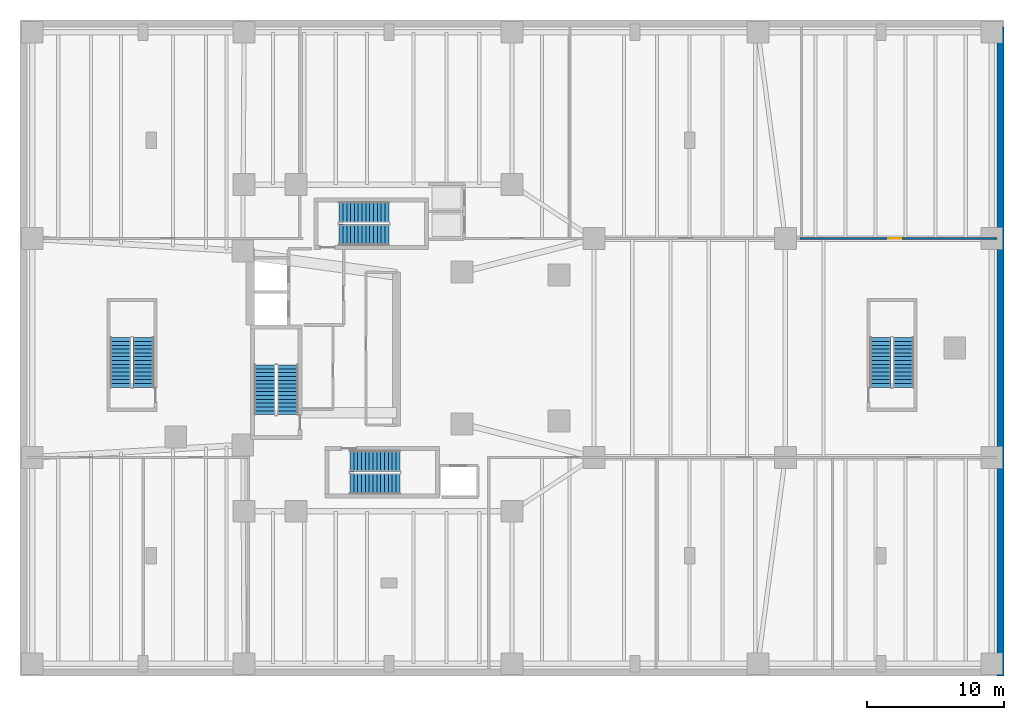
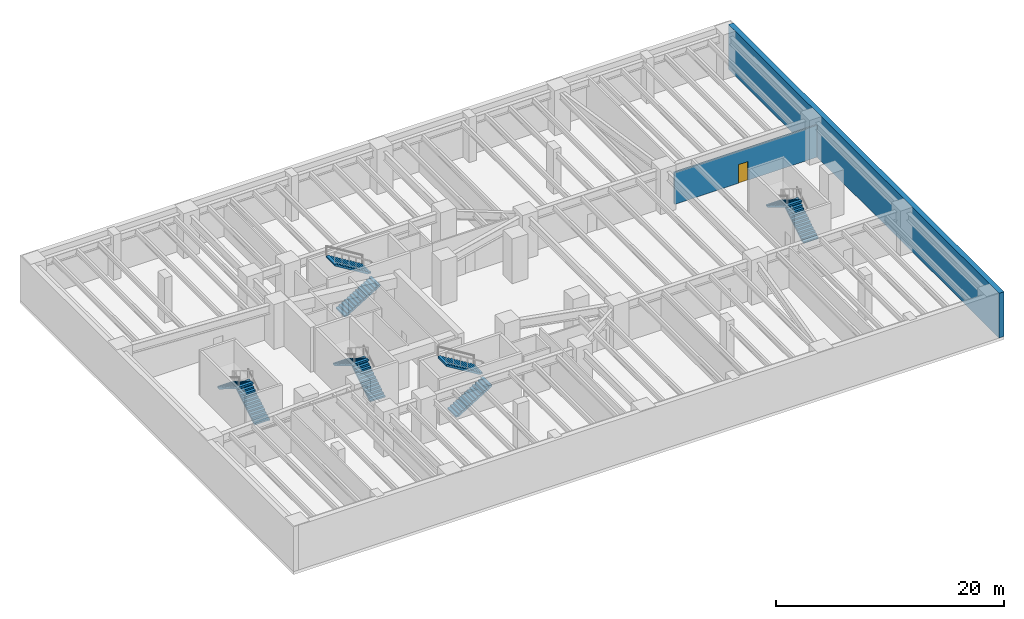
# One storey, part 6 of 9: 10 stair flights, 2 walls, 1 door, 1 opening, 5 elements without a shape of their own.
"""IFC4 building model written with IfcOpenShell, lengths in metres."""

from ifc_helpers import new_model, si_unit, direction, frame, frame_2d, origin, place, context, subcontext, project, spatial, polyline, rectangle, outline, extrude, material, layer, layer_set, type_object, element, fill, aggregate, save


model = new_model("IFC4")

# Units and contexts
model_context = context("Model", 3, precision=1e-05, world=origin(), true_north=direction((0.0, 1.0)))
body_context = subcontext(model_context, "Body", "Model", "MODEL_VIEW")
ifc_project = project(units=[si_unit("LENGTHUNIT", "METRE"), si_unit("AREAUNIT", "SQUARE_METRE"), si_unit("VOLUMEUNIT", "CUBIC_METRE"), si_unit("PLANEANGLEUNIT", "RADIAN"), si_unit("MASSUNIT", "GRAM", prefix="KILO"), si_unit("THERMODYNAMICTEMPERATUREUNIT", "KELVIN"), si_unit("POWERUNIT", "WATT")], contexts=[model_context])

# Site, building, storey
site_placement = place(None, origin())
site = spatial("IfcSite", under=ifc_project, at=site_placement, CompositionType="ELEMENT")
building_placement = place(site_placement, origin())
building = spatial("IfcBuilding", under=site, at=building_placement, Name="Skarre Station Tower", CompositionType="ELEMENT")
storey_placement = place(building_placement, frame((0.0, 0.0, -4.800048828125)))
storey = spatial("IfcBuildingStorey", under=building, at=storey_placement, Name="B01", CompositionType="ELEMENT", Elevation=-4.800048828125)

# Wall
ifc_material_1 = material(Name="Concrete C50/60", Category="concrete")
ifc_layer_1 = layer(ifc_material_1, 0.5, Name="Concrete C50/60")
ifc_layer_set_1 = layer_set([ifc_layer_1], Name="Concrete C50/60")
wall_type_1 = type_object("IfcWallType", Name="Basement Perimeter Retaining Wall 500", PredefinedType="USERDEFINED", material=ifc_layer_set_1)
wall_1_placement = place(storey_placement, frame((71.75, 47.5, 0.0), z_axis=(0.0, 0.0, 1.0), x_axis=(0.0, -1.0, 0.0)))
element("IfcWall", 1, at=wall_1_placement, inside=storey, type_object=wall_type_1, Name="B01 Perimeter Retaining Wall E", ObjectType="RETAININGWALL", PredefinedType="USERDEFINED", context=body_context, shape_type="SweptSolid", body=[
    extrude(rectangle(XDim=47.5, YDim=0.5, at=frame_2d((23.75, 0.0))), origin(), (0.0, 0.0, 1.0), 4.800048828125),
])

# Wall, opening, door
ifc_material_2 = material(Name="Acoustic Steel-Stud Gypsum Partition", Category="steel")
ifc_layer_2 = layer(ifc_material_2, 0.14990234375, Name="Acoustic Steel-Stud Gypsum Partition")
ifc_layer_set_2 = layer_set([ifc_layer_2], Name="Acoustic Steel-Stud Gypsum Partition")
wall_type_2 = type_object("IfcWallType", Name="Fire-Rated Corridor Acoustic Partition 150", PredefinedType="PARTITIONING", material=ifc_layer_set_2)
wall_2_placement = place(storey_placement, frame((71.5048828125, 32.02001953125, 0.0), z_axis=(0.0, 0.0, 1.0), x_axis=(-1.0, 0.0, 0.0)))
wall_2 = element("IfcWall", 2, at=wall_2_placement, inside=storey, type_object=wall_type_2, Name="B01 Interior Partition WL-PT-B01-PDN4-CW", PredefinedType="PARTITIONING", context=body_context, shape_type="SweptSolid", body=[
    extrude(rectangle(XDim=14.44482421875, YDim=0.14990234375, at=frame_2d((7.222412109375, 0.0))), origin(), (0.0, 0.0, 1.0), 3.43212890625),
])
opening_placement = place(wall_2_placement, frame((7.02197265625, 0.0, 0.0)))
opening = element("IfcOpeningElement", 3, at=opening_placement, cuts=wall_2, Name="Opening DR-FD60", PredefinedType="OPENING", context=body_context, shape_type="SweptSolid", body=[
    extrude(rectangle(XDim=0.9599609375, YDim=2.0, at=frame_2d((0.47998046875, 1.0))), frame((0.0, 0.0849609375, 0.0), z_axis=(0.0, -1.0, 0.0), x_axis=(1.0, 0.0, 0.0)), (0.0, 0.0, 1.0), 0.169921875),
])
ifc_material_3 = material(Name="Nordic White-Oak Veneer Solid-Core Fire Leaf", Category="wood")
door_type = type_object("IfcDoorType", Name="Corridor Suite Entry Fire Door FD60 960x2150", OperationType="SINGLE_SWING_LEFT", PredefinedType="DOOR", material=ifc_material_3)
door_placement = place(opening_placement, origin())
door = element("IfcDoor", 4, at=door_placement, inside=storey, type_object=door_type, Name="B01 PDN4 Entry Door", OperationType="SINGLE_SWING_LEFT", OverallHeight=2.0, OverallWidth=0.9599609375, PredefinedType="DOOR", context=body_context, shape_type="SweptSolid", body=[
    extrude(rectangle(XDim=0.9599609375, YDim=2.0, at=frame_2d((0.47998046875, 1.0))), frame((0.0, 0.02490234375, 0.0), z_axis=(0.0, -1.0, 0.0), x_axis=(1.0, 0.0, 0.0)), (0.0, 0.0, 1.0), 0.050048828125),
])
fill(opening, door)

# Stair, stair flights
ifc_material_4 = material(Name="Concrete C40/50", Category="concrete")
stair_type_1 = type_object("IfcStairType", Name="Reinforced Concrete Exit Stair ST-1", PredefinedType="HALF_TURN_STAIR", material=ifc_material_4)
stair_1_placement = place(storey_placement, origin())
stair_1 = element("IfcStair", 5, at=stair_1_placement, inside=storey, type_object=stair_type_1, Name="B01 Core Exit Stair ST-1", PredefinedType="HALF_TURN_STAIR")
stair_flight_type_1 = type_object("IfcStairFlightType", Name="Reinforced Concrete Stair Flight ST-1", PredefinedType="STRAIGHT", material=ifc_material_4)
stair_flight_1_placement = place(storey_placement, frame((19.590087890625, 19.1201171875, 0.0), z_axis=(0.0, 0.0, 1.0), x_axis=(0.0, 1.0, 0.0)))
stair_flight_1 = element("IfcStairFlight", 6, at=stair_flight_1_placement, type_object=stair_flight_type_1, Name="ST-1 flight 1", NumberOfRisers=14, NumberOfTreads=13, PredefinedType="STRAIGHT", RiserHeight=0.171428571, TreadLength=0.28, context=body_context, shape_type="SweptSolid", body=[
    extrude(outline(polyline([(0.0, 0.0), (0.0, 0.17138671875), (0.280029296875, 0.17138671875), (0.280029296875, 0.3427734375), (0.56005859375, 0.3427734375), (0.56005859375, 0.514404296875), (0.840087890625, 0.514404296875), (0.840087890625, 0.685791015625), (1.1201171875, 0.685791015625), (1.1201171875, 0.857177734375), (1.39990234375, 0.857177734375), (1.39990234375, 1.028564453125), (1.679931640625, 1.028564453125), (1.679931640625, 1.199951171875), (1.9599609375, 1.199951171875), (1.9599609375, 1.371337890625), (2.239990234375, 1.371337890625), (2.239990234375, 1.54296875), (2.52001953125, 1.54296875), (2.52001953125, 1.71435546875), (2.800048828125, 1.71435546875), (2.800048828125, 1.8857421875), (3.080078125, 1.8857421875), (3.080078125, 2.05712890625), (3.360107421875, 2.05712890625), (3.360107421875, 2.228515625), (3.639892578125, 2.228515625), (3.639892578125, 2.39990234375), (3.639892578125, 2.052734375), (0.287109375, 0.0), (0.0, 0.0)])), frame((0.0, 0.760009765625, 0.0), z_axis=(0.0, -1.0, 0.0), x_axis=(1.0, 0.0, 0.0)), (0.0, 0.0, 1.0), 1.52001953125),
])
stair_flight_2_placement = place(storey_placement, frame((17.909912109375, 22.760009765625, 2.400146484375), z_axis=(0.0, 0.0, 1.0), x_axis=(0.0, -1.0, 0.0)))
stair_flight_2 = element("IfcStairFlight", 7, at=stair_flight_2_placement, type_object=stair_flight_type_1, Name="ST-1 flight 2", NumberOfRisers=14, NumberOfTreads=13, PredefinedType="STRAIGHT", RiserHeight=0.171428571, TreadLength=0.28, context=body_context, shape_type="SweptSolid", body=[
    extrude(outline(polyline([(0.0, 0.0), (0.0, 0.17138671875), (0.280029296875, 0.17138671875), (0.280029296875, 0.3427734375), (0.56005859375, 0.3427734375), (0.56005859375, 0.514404296875), (0.840087890625, 0.514404296875), (0.840087890625, 0.685791015625), (1.1201171875, 0.685791015625), (1.1201171875, 0.857177734375), (1.39990234375, 0.857177734375), (1.39990234375, 1.028564453125), (1.679931640625, 1.028564453125), (1.679931640625, 1.199951171875), (1.9599609375, 1.199951171875), (1.9599609375, 1.371337890625), (2.239990234375, 1.371337890625), (2.239990234375, 1.54296875), (2.52001953125, 1.54296875), (2.52001953125, 1.71435546875), (2.800048828125, 1.71435546875), (2.800048828125, 1.8857421875), (3.080078125, 1.8857421875), (3.080078125, 2.05712890625), (3.360107421875, 2.05712890625), (3.360107421875, 2.228515625), (3.639892578125, 2.228515625), (3.639892578125, 2.39990234375), (3.639892578125, 2.052734375), (0.287109375, 0.0), (0.0, 0.0)])), frame((0.0, 0.760009765625, 0.0), z_axis=(0.0, -1.0, 0.0), x_axis=(1.0, 0.0, 0.0)), (0.0, 0.0, 1.0), 1.52001953125),
])
aggregate(stair_1, [stair_flight_1, stair_flight_2])

stair_type_2 = type_object("IfcStairType", Name="Reinforced Concrete Exit Stair ST-2", PredefinedType="HALF_TURN_STAIR", material=ifc_material_4)
stair_2_placement = place(storey_placement, origin())
stair_2 = element("IfcStair", 8, at=stair_2_placement, inside=storey, type_object=stair_type_2, Name="B01 Core Exit Stair ST-2", PredefinedType="HALF_TURN_STAIR")
stair_flight_type_2 = type_object("IfcStairFlightType", Name="Reinforced Concrete Stair Flight ST-2", PredefinedType="STRAIGHT", material=ifc_material_4)
stair_flight_3_placement = place(storey_placement, frame((24.14990234375, 14.06005859375, 0.0), z_axis=(0.0, 0.0, 1.0), x_axis=(1.0, 0.0, 0.0)))
stair_flight_3 = element("IfcStairFlight", 9, at=stair_flight_3_placement, type_object=stair_flight_type_2, Name="ST-2 flight 1", NumberOfRisers=14, NumberOfTreads=13, PredefinedType="STRAIGHT", RiserHeight=0.171428571, TreadLength=0.28, context=body_context, shape_type="SweptSolid", body=[
    extrude(outline(polyline([(0.0, 0.0), (0.0, 0.17138671875), (0.280029296875, 0.17138671875), (0.280029296875, 0.3427734375), (0.56005859375, 0.3427734375), (0.56005859375, 0.514404296875), (0.840087890625, 0.514404296875), (0.840087890625, 0.685791015625), (1.1201171875, 0.685791015625), (1.1201171875, 0.857177734375), (1.39990234375, 0.857177734375), (1.39990234375, 1.028564453125), (1.679931640625, 1.028564453125), (1.679931640625, 1.199951171875), (1.9599609375, 1.199951171875), (1.9599609375, 1.371337890625), (2.239990234375, 1.371337890625), (2.239990234375, 1.54296875), (2.52001953125, 1.54296875), (2.52001953125, 1.71435546875), (2.800048828125, 1.71435546875), (2.800048828125, 1.8857421875), (3.080078125, 1.8857421875), (3.080078125, 2.05712890625), (3.360107421875, 2.05712890625), (3.360107421875, 2.228515625), (3.639892578125, 2.228515625), (3.639892578125, 2.39990234375), (3.639892578125, 2.052734375), (0.287109375, 0.0), (0.0, 0.0)])), frame((0.0, 0.760009765625, 0.0), z_axis=(0.0, -1.0, 0.0), x_axis=(1.0, 0.0, 0.0)), (0.0, 0.0, 1.0), 1.52001953125),
])
stair_flight_4_placement = place(storey_placement, frame((27.7900390625, 15.739990234375, 2.400146484375), z_axis=(0.0, 0.0, 1.0), x_axis=(-1.0, 0.0, 0.0)))
stair_flight_4 = element("IfcStairFlight", 10, at=stair_flight_4_placement, type_object=stair_flight_type_2, Name="ST-2 flight 2", NumberOfRisers=14, NumberOfTreads=13, PredefinedType="STRAIGHT", RiserHeight=0.171428571, TreadLength=0.28, context=body_context, shape_type="SweptSolid", body=[
    extrude(outline(polyline([(0.0, 0.0), (0.0, 0.17138671875), (0.280029296875, 0.17138671875), (0.280029296875, 0.3427734375), (0.56005859375, 0.3427734375), (0.56005859375, 0.514404296875), (0.840087890625, 0.514404296875), (0.840087890625, 0.685791015625), (1.1201171875, 0.685791015625), (1.1201171875, 0.857177734375), (1.39990234375, 0.857177734375), (1.39990234375, 1.028564453125), (1.679931640625, 1.028564453125), (1.679931640625, 1.199951171875), (1.9599609375, 1.199951171875), (1.9599609375, 1.371337890625), (2.239990234375, 1.371337890625), (2.239990234375, 1.54296875), (2.52001953125, 1.54296875), (2.52001953125, 1.71435546875), (2.800048828125, 1.71435546875), (2.800048828125, 1.8857421875), (3.080078125, 1.8857421875), (3.080078125, 2.05712890625), (3.360107421875, 2.05712890625), (3.360107421875, 2.228515625), (3.639892578125, 2.228515625), (3.639892578125, 2.39990234375), (3.639892578125, 2.052734375), (0.287109375, 0.0), (0.0, 0.0)])), frame((0.0, 0.760009765625, 0.0), z_axis=(0.0, -1.0, 0.0), x_axis=(1.0, 0.0, 0.0)), (0.0, 0.0, 1.0), 1.52001953125),
])
aggregate(stair_2, [stair_flight_3, stair_flight_4])

stair_type_3 = type_object("IfcStairType", Name="Reinforced Concrete Exit Stair ST-3", PredefinedType="HALF_TURN_STAIR", material=ifc_material_4)
stair_3_placement = place(storey_placement, origin())
stair_3 = element("IfcStair", 11, at=stair_3_placement, inside=storey, type_object=stair_type_3, Name="B01 Core Exit Stair ST-3", PredefinedType="HALF_TURN_STAIR")
stair_flight_type_3 = type_object("IfcStairFlightType", Name="Reinforced Concrete Stair Flight ST-3", PredefinedType="STRAIGHT", material=ifc_material_4)
stair_flight_5_placement = place(storey_placement, frame((23.35009765625, 32.260009765625, 0.0), z_axis=(0.0, 0.0, 1.0), x_axis=(1.0, 0.0, 0.0)))
stair_flight_5 = element("IfcStairFlight", 12, at=stair_flight_5_placement, type_object=stair_flight_type_3, Name="ST-3 flight 1", NumberOfRisers=14, NumberOfTreads=13, PredefinedType="STRAIGHT", RiserHeight=0.171428571, TreadLength=0.28, context=body_context, shape_type="SweptSolid", body=[
    extrude(outline(polyline([(0.0, 0.0), (0.0, 0.17138671875), (0.280029296875, 0.17138671875), (0.280029296875, 0.3427734375), (0.56005859375, 0.3427734375), (0.56005859375, 0.514404296875), (0.840087890625, 0.514404296875), (0.840087890625, 0.685791015625), (1.1201171875, 0.685791015625), (1.1201171875, 0.857177734375), (1.39990234375, 0.857177734375), (1.39990234375, 1.028564453125), (1.679931640625, 1.028564453125), (1.679931640625, 1.199951171875), (1.9599609375, 1.199951171875), (1.9599609375, 1.371337890625), (2.239990234375, 1.371337890625), (2.239990234375, 1.54296875), (2.52001953125, 1.54296875), (2.52001953125, 1.71435546875), (2.800048828125, 1.71435546875), (2.800048828125, 1.8857421875), (3.080078125, 1.8857421875), (3.080078125, 2.05712890625), (3.360107421875, 2.05712890625), (3.360107421875, 2.228515625), (3.639892578125, 2.228515625), (3.639892578125, 2.39990234375), (3.639892578125, 2.052734375), (0.287109375, 0.0), (0.0, 0.0)])), frame((0.0, 0.760009765625, 0.0), z_axis=(0.0, -1.0, 0.0), x_axis=(1.0, 0.0, 0.0)), (0.0, 0.0, 1.0), 1.52001953125),
])
stair_flight_6_placement = place(storey_placement, frame((26.989990234375, 33.93994140625, 2.400146484375), z_axis=(0.0, 0.0, 1.0), x_axis=(-1.0, 0.0, 0.0)))
stair_flight_6 = element("IfcStairFlight", 13, at=stair_flight_6_placement, type_object=stair_flight_type_3, Name="ST-3 flight 2", NumberOfRisers=14, NumberOfTreads=13, PredefinedType="STRAIGHT", RiserHeight=0.171428571, TreadLength=0.28, context=body_context, shape_type="SweptSolid", body=[
    extrude(outline(polyline([(0.0, 0.0), (0.0, 0.17138671875), (0.280029296875, 0.17138671875), (0.280029296875, 0.3427734375), (0.56005859375, 0.3427734375), (0.56005859375, 0.514404296875), (0.840087890625, 0.514404296875), (0.840087890625, 0.685791015625), (1.1201171875, 0.685791015625), (1.1201171875, 0.857177734375), (1.39990234375, 0.857177734375), (1.39990234375, 1.028564453125), (1.679931640625, 1.028564453125), (1.679931640625, 1.199951171875), (1.9599609375, 1.199951171875), (1.9599609375, 1.371337890625), (2.239990234375, 1.371337890625), (2.239990234375, 1.54296875), (2.52001953125, 1.54296875), (2.52001953125, 1.71435546875), (2.800048828125, 1.71435546875), (2.800048828125, 1.8857421875), (3.080078125, 1.8857421875), (3.080078125, 2.05712890625), (3.360107421875, 2.05712890625), (3.360107421875, 2.228515625), (3.639892578125, 2.228515625), (3.639892578125, 2.39990234375), (3.639892578125, 2.052734375), (0.287109375, 0.0), (0.0, 0.0)])), frame((0.0, 0.760009765625, 0.0), z_axis=(0.0, -1.0, 0.0), x_axis=(1.0, 0.0, 0.0)), (0.0, 0.0, 1.0), 1.52001953125),
])
aggregate(stair_3, [stair_flight_5, stair_flight_6])

stair_type_4 = type_object("IfcStairType", Name="Reinforced Concrete Exit Stair ST-4", PredefinedType="HALF_TURN_STAIR", material=ifc_material_4)
stair_4_placement = place(storey_placement, origin())
stair_4 = element("IfcStair", 14, at=stair_4_placement, inside=storey, type_object=stair_type_4, Name="B01 Podium Concourse Exit Stair ST-4", PredefinedType="HALF_TURN_STAIR")
stair_flight_type_4 = type_object("IfcStairFlightType", Name="Reinforced Concrete Stair Flight ST-4", PredefinedType="STRAIGHT", material=ifc_material_4)
stair_flight_7_placement = place(storey_placement, frame((9.0400390625, 21.1201171875, 0.0), z_axis=(0.0, 0.0, 1.0), x_axis=(0.0, 1.0, 0.0)))
stair_flight_7 = element("IfcStairFlight", 15, at=stair_flight_7_placement, type_object=stair_flight_type_4, Name="ST-4 flight 1", NumberOfRisers=14, NumberOfTreads=13, PredefinedType="STRAIGHT", RiserHeight=0.171428571, TreadLength=0.28, context=body_context, shape_type="SweptSolid", body=[
    extrude(outline(polyline([(0.0, 0.0), (0.0, 0.17138671875), (0.280029296875, 0.17138671875), (0.280029296875, 0.3427734375), (0.56005859375, 0.3427734375), (0.56005859375, 0.514404296875), (0.840087890625, 0.514404296875), (0.840087890625, 0.685791015625), (1.1201171875, 0.685791015625), (1.1201171875, 0.857177734375), (1.39990234375, 0.857177734375), (1.39990234375, 1.028564453125), (1.679931640625, 1.028564453125), (1.679931640625, 1.199951171875), (1.9599609375, 1.199951171875), (1.9599609375, 1.371337890625), (2.239990234375, 1.371337890625), (2.239990234375, 1.54296875), (2.52001953125, 1.54296875), (2.52001953125, 1.71435546875), (2.800048828125, 1.71435546875), (2.800048828125, 1.8857421875), (3.080078125, 1.8857421875), (3.080078125, 2.05712890625), (3.360107421875, 2.05712890625), (3.360107421875, 2.228515625), (3.639892578125, 2.228515625), (3.639892578125, 2.39990234375), (3.639892578125, 2.052734375), (0.287109375, 0.0), (0.0, 0.0)])), frame((0.0, 0.760009765625, 0.0), z_axis=(0.0, -1.0, 0.0), x_axis=(1.0, 0.0, 0.0)), (0.0, 0.0, 1.0), 1.52001953125),
])
stair_flight_8_placement = place(storey_placement, frame((7.360107421875, 24.760009765625, 2.400146484375), z_axis=(0.0, 0.0, 1.0), x_axis=(0.0, -1.0, 0.0)))
stair_flight_8 = element("IfcStairFlight", 16, at=stair_flight_8_placement, type_object=stair_flight_type_4, Name="ST-4 flight 2", NumberOfRisers=14, NumberOfTreads=13, PredefinedType="STRAIGHT", RiserHeight=0.171428571, TreadLength=0.28, context=body_context, shape_type="SweptSolid", body=[
    extrude(outline(polyline([(0.0, 0.0), (0.0, 0.17138671875), (0.280029296875, 0.17138671875), (0.280029296875, 0.3427734375), (0.56005859375, 0.3427734375), (0.56005859375, 0.514404296875), (0.840087890625, 0.514404296875), (0.840087890625, 0.685791015625), (1.1201171875, 0.685791015625), (1.1201171875, 0.857177734375), (1.39990234375, 0.857177734375), (1.39990234375, 1.028564453125), (1.679931640625, 1.028564453125), (1.679931640625, 1.199951171875), (1.9599609375, 1.199951171875), (1.9599609375, 1.371337890625), (2.239990234375, 1.371337890625), (2.239990234375, 1.54296875), (2.52001953125, 1.54296875), (2.52001953125, 1.71435546875), (2.800048828125, 1.71435546875), (2.800048828125, 1.8857421875), (3.080078125, 1.8857421875), (3.080078125, 2.05712890625), (3.360107421875, 2.05712890625), (3.360107421875, 2.228515625), (3.639892578125, 2.228515625), (3.639892578125, 2.39990234375), (3.639892578125, 2.052734375), (0.287109375, 0.0), (0.0, 0.0)])), frame((0.0, 0.760009765625, 0.0), z_axis=(0.0, -1.0, 0.0), x_axis=(1.0, 0.0, 0.0)), (0.0, 0.0, 1.0), 1.52001953125),
])
aggregate(stair_4, [stair_flight_7, stair_flight_8])

stair_type_5 = type_object("IfcStairType", Name="Reinforced Concrete Exit Stair ST-5", PredefinedType="HALF_TURN_STAIR", material=ifc_material_4)
stair_5_placement = place(storey_placement, origin())
stair_5 = element("IfcStair", 17, at=stair_5_placement, inside=storey, type_object=stair_type_5, Name="B01 Podium Concourse Exit Stair ST-5", PredefinedType="HALF_TURN_STAIR")
stair_flight_type_5 = type_object("IfcStairFlightType", Name="Reinforced Concrete Stair Flight ST-5", PredefinedType="STRAIGHT", material=ifc_material_4)
stair_flight_9_placement = place(storey_placement, frame((64.639892578125, 21.1201171875, 0.0), z_axis=(0.0, 0.0, 1.0), x_axis=(0.0, 1.0, 0.0)))
stair_flight_9 = element("IfcStairFlight", 18, at=stair_flight_9_placement, type_object=stair_flight_type_5, Name="ST-5 flight 1", NumberOfRisers=14, NumberOfTreads=13, PredefinedType="STRAIGHT", RiserHeight=0.171428571, TreadLength=0.28, context=body_context, shape_type="SweptSolid", body=[
    extrude(outline(polyline([(0.0, 0.0), (0.0, 0.17138671875), (0.280029296875, 0.17138671875), (0.280029296875, 0.3427734375), (0.56005859375, 0.3427734375), (0.56005859375, 0.514404296875), (0.840087890625, 0.514404296875), (0.840087890625, 0.685791015625), (1.1201171875, 0.685791015625), (1.1201171875, 0.857177734375), (1.39990234375, 0.857177734375), (1.39990234375, 1.028564453125), (1.679931640625, 1.028564453125), (1.679931640625, 1.199951171875), (1.9599609375, 1.199951171875), (1.9599609375, 1.371337890625), (2.239990234375, 1.371337890625), (2.239990234375, 1.54296875), (2.52001953125, 1.54296875), (2.52001953125, 1.71435546875), (2.800048828125, 1.71435546875), (2.800048828125, 1.8857421875), (3.080078125, 1.8857421875), (3.080078125, 2.05712890625), (3.360107421875, 2.05712890625), (3.360107421875, 2.228515625), (3.639892578125, 2.228515625), (3.639892578125, 2.39990234375), (3.639892578125, 2.052734375), (0.287109375, 0.0), (0.0, 0.0)])), frame((0.0, 0.760009765625, 0.0), z_axis=(0.0, -1.0, 0.0), x_axis=(1.0, 0.0, 0.0)), (0.0, 0.0, 1.0), 1.52001953125),
])
stair_flight_10_placement = place(storey_placement, frame((62.9599609375, 24.760009765625, 2.400146484375), z_axis=(0.0, 0.0, 1.0), x_axis=(0.0, -1.0, 0.0)))
stair_flight_10 = element("IfcStairFlight", 19, at=stair_flight_10_placement, type_object=stair_flight_type_5, Name="ST-5 flight 2", NumberOfRisers=14, NumberOfTreads=13, PredefinedType="STRAIGHT", RiserHeight=0.171428571, TreadLength=0.28, context=body_context, shape_type="SweptSolid", body=[
    extrude(outline(polyline([(0.0, 0.0), (0.0, 0.17138671875), (0.280029296875, 0.17138671875), (0.280029296875, 0.3427734375), (0.56005859375, 0.3427734375), (0.56005859375, 0.514404296875), (0.840087890625, 0.514404296875), (0.840087890625, 0.685791015625), (1.1201171875, 0.685791015625), (1.1201171875, 0.857177734375), (1.39990234375, 0.857177734375), (1.39990234375, 1.028564453125), (1.679931640625, 1.028564453125), (1.679931640625, 1.199951171875), (1.9599609375, 1.199951171875), (1.9599609375, 1.371337890625), (2.239990234375, 1.371337890625), (2.239990234375, 1.54296875), (2.52001953125, 1.54296875), (2.52001953125, 1.71435546875), (2.800048828125, 1.71435546875), (2.800048828125, 1.8857421875), (3.080078125, 1.8857421875), (3.080078125, 2.05712890625), (3.360107421875, 2.05712890625), (3.360107421875, 2.228515625), (3.639892578125, 2.228515625), (3.639892578125, 2.39990234375), (3.639892578125, 2.052734375), (0.287109375, 0.0), (0.0, 0.0)])), frame((0.0, 0.760009765625, 0.0), z_axis=(0.0, -1.0, 0.0), x_axis=(1.0, 0.0, 0.0)), (0.0, 0.0, 1.0), 1.52001953125),
])
aggregate(stair_5, [stair_flight_9, stair_flight_10])

save(model, "model.ifc")
